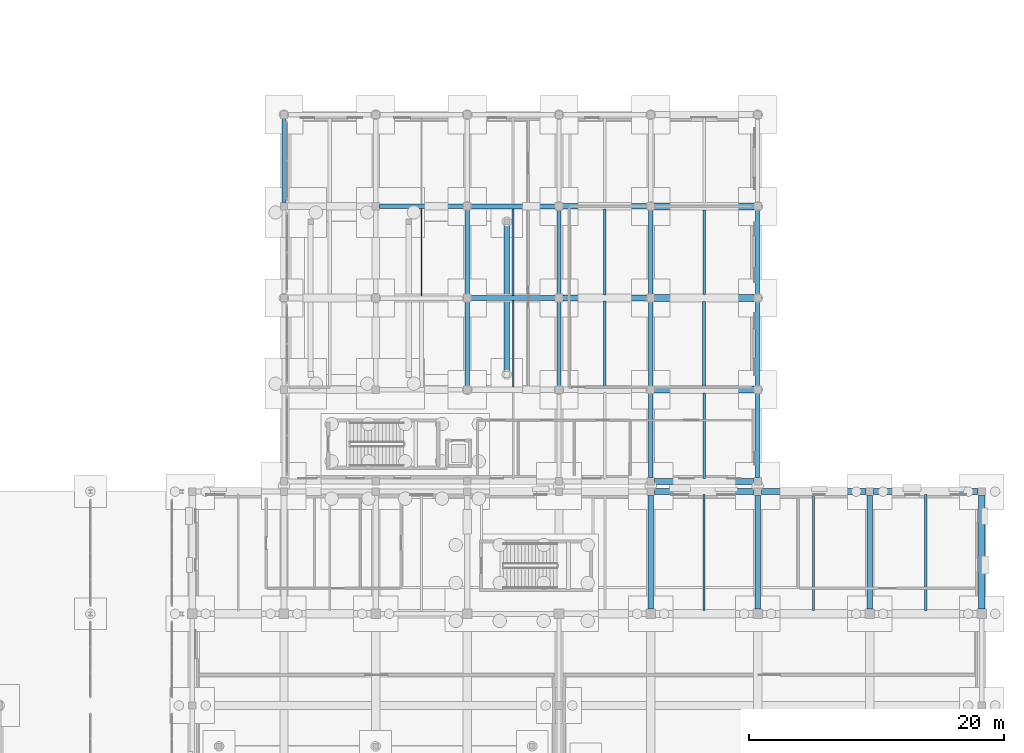
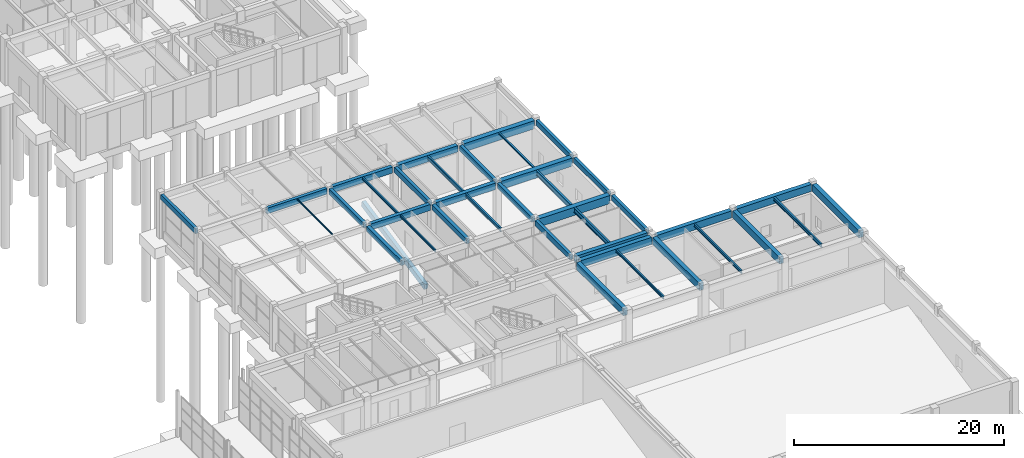
# One storey, part 53 of 91: 39 beams.
"""IFC4 building model written with IfcOpenShell, lengths in metres."""

from ifc_helpers import new_model, si_unit, direction, frame, origin, origin_2d, place, context, subcontext, project, spatial, rectangle, i_section, extrude, material, material_profile, profile_set, type_object, element, save


model = new_model("IFC4")

# Units and contexts
model_context = context("Model", 3, precision=1e-05, world=origin(), true_north=direction((0.0, 1.0)))
body_context = subcontext(model_context, "Body", "Model", "MODEL_VIEW")
ifc_project = project(units=[si_unit("LENGTHUNIT", "METRE"), si_unit("AREAUNIT", "SQUARE_METRE"), si_unit("VOLUMEUNIT", "CUBIC_METRE"), si_unit("PLANEANGLEUNIT", "RADIAN"), si_unit("MASSUNIT", "GRAM", prefix="KILO")], contexts=[model_context])

# Site, building, storey
site_placement = place(None, origin())
site = spatial("IfcSite", under=ifc_project, at=site_placement, CompositionType="ELEMENT")
building_placement = place(site_placement, origin())
building = spatial("IfcBuilding", under=site, at=building_placement, Name="Bramveld Media Centre", CompositionType="ELEMENT")
storey_placement = place(building_placement, origin())
storey = spatial("IfcBuildingStorey", under=building, at=storey_placement, Name="L00", CompositionType="ELEMENT", Elevation=0.0)

# Beams
ifc_material_1 = material(Name="Concrete C40/50", Category="concrete")
ifc_material_profile_1 = material_profile(ifc_material_1, rectangle(XDim=0.35009765625, YDim=0.60009765625, at=origin_2d()), Name="RC 350x600")
ifc_profile_set_1 = profile_set([ifc_material_profile_1], Name="Concrete C40/50")
beam_type_1 = type_object("IfcBeamType", Name="BM-INT-RC-350x600", PredefinedType="BEAM", material=ifc_profile_set_1)
for number, where, z_axis, x_axis, name in (
    (1, (145.60009765625, 46.699951171875, 4.860107421875), (0.0, 1.0, 0.0), (-1.0, 0.0, 0.0), "V4 L00 girder Y-484"),
    (2, (145.60009765625, 53.89990234375, 4.860107421875), (0.0, 1.0, 0.0), (-1.0, 0.0, 0.0), "V4 L00 girder Y-485"),
    (3, (152.800048828125, 46.699951171875, 4.860107421875), (0.0, 1.0, 0.0), (-1.0, 0.0, 0.0), "V4 L00 girder Y-488"),
    (4, (152.800048828125, 53.89990234375, 4.860107421875), (0.0, 1.0, 0.0), (-1.0, 0.0, 0.0), "V4 L00 girder Y-489"),
):
    element("IfcBeam", number, at=place(storey_placement, frame(where, z_axis=z_axis, x_axis=x_axis)), inside=storey, type_object=beam_type_1, Name=name, PredefinedType="BEAM", context=body_context, shape_type="SweptSolid", body=[
        extrude(rectangle(XDim=0.35009765625, YDim=0.60009765625, at=origin_2d()), origin(), (0.0, 0.0, 1.0), 6.60009765625),
    ])
beam_1_placement = place(storey_placement, frame((160.0, 39.489990234375, 4.860107421875), z_axis=(0.0, 1.0, 0.0), x_axis=(-1.0, 0.0, 0.0)))
element("IfcBeam", 5, at=beam_1_placement, inside=storey, type_object=beam_type_1, Name="V4 L00 girder Y-491", PredefinedType="BEAM", context=body_context, shape_type="SweptSolid", body=[
    extrude(rectangle(XDim=0.35009765625, YDim=0.60009765625, at=origin_2d()), origin(), (0.0, 0.0, 1.0), 6.610107421875),
])
for number, where, z_axis, x_axis, name in (
    (6, (160.0, 46.699951171875, 4.860107421875), (0.0, 1.0, 0.0), (-1.0, 0.0, 0.0), "V4 L00 girder Y-492"),
    (7, (160.0, 53.89990234375, 4.860107421875), (0.0, 1.0, 0.0), (-1.0, 0.0, 0.0), "V4 L00 girder Y-493"),
):
    element("IfcBeam", number, at=place(storey_placement, frame(where, z_axis=z_axis, x_axis=x_axis)), inside=storey, type_object=beam_type_1, Name=name, PredefinedType="BEAM", context=body_context, shape_type="SweptSolid", body=[
        extrude(rectangle(XDim=0.35009765625, YDim=0.60009765625, at=origin_2d()), origin(), (0.0, 0.0, 1.0), 6.60009765625),
    ])
ifc_material_2 = material(Name="Concrete C40/50", Category="concrete")
ifc_material_profile_2 = material_profile(ifc_material_2, rectangle(XDim=0.35009765625, YDim=0.64990234375, at=origin_2d()), Name="RC 350x650")
ifc_profile_set_2 = profile_set([ifc_material_profile_2], Name="Concrete C40/50")
beam_type_2 = type_object("IfcBeamType", Name="BM-INT-RC-350x650", PredefinedType="BEAM", material=ifc_profile_set_2)
beam_2_placement = place(storey_placement, frame((138.699951171875, 60.800048828125, 4.8349609375), z_axis=(1.0, 0.0, 0.0), x_axis=(0.0, 1.0, 0.0)))
element("IfcBeam", 8, at=beam_2_placement, inside=storey, type_object=beam_type_2, Name="V4 L00 girder X-468", PredefinedType="BEAM", context=body_context, shape_type="SweptSolid", body=[
    extrude(rectangle(XDim=0.35009765625, YDim=0.64990234375, at=origin_2d()), origin(), (0.0, 0.0, 1.0), 6.60009765625),
])
ifc_material_3 = material(Name="Concrete C40/50", Category="concrete")
ifc_material_profile_3 = material_profile(ifc_material_3, rectangle(XDim=0.39990234375, YDim=0.64990234375, at=origin_2d()), Name="RC 400x650")
ifc_profile_set_3 = profile_set([ifc_material_profile_3], Name="Concrete C40/50")
beam_type_3 = type_object("IfcBeamType", Name="BM-INT-RC-400x650", PredefinedType="BEAM", material=ifc_profile_set_3)
beam_3_placement = place(storey_placement, frame((148.699951171875, 47.60009765625, 0.43505859375), z_axis=(0.0, 0.979466997448, 0.201604565698), x_axis=(-1.0, 0.0, 0.0)))
element("IfcBeam", 9, at=beam_3_placement, inside=storey, type_object=beam_type_3, Name="Screen 7 Raked Seating Slab raker beam 3", PredefinedType="BEAM", context=body_context, shape_type="SweptSolid", body=[
    extrude(rectangle(XDim=0.39990234375, YDim=0.64990234375, at=origin_2d()), origin(), (0.0, 0.0, 1.0), 12.25146484375),
])
ifc_material_4 = material(Name="Concrete C40/50", Category="concrete")
ifc_material_profile_4 = material_profile(ifc_material_4, rectangle(XDim=0.39990234375, YDim=0.699951171875, at=origin_2d()), Name="RC 400x700")
ifc_profile_set_4 = profile_set([ifc_material_profile_4], Name="Concrete C40/50")
beam_type_4 = type_object("IfcBeamType", Name="BM-INT-RC-400x700", PredefinedType="BEAM", material=ifc_profile_set_4)
for number, where, z_axis, x_axis, name in (
    (10, (145.89990234375, 53.60009765625, 4.81005859375), (1.0, 0.0, 0.0), (0.0, 1.0, 0.0), "V4 L00 girder X-464"),
    (11, (145.89990234375, 60.800048828125, 4.81005859375), (1.0, 0.0, 0.0), (0.0, 1.0, 0.0), "V4 L00 girder X-469"),
):
    element("IfcBeam", number, at=place(storey_placement, frame(where, z_axis=z_axis, x_axis=x_axis)), inside=storey, type_object=beam_type_4, Name=name, PredefinedType="BEAM", context=body_context, shape_type="SweptSolid", body=[
        extrude(rectangle(XDim=0.39990234375, YDim=0.699951171875, at=origin_2d()), origin(), (0.0, 0.0, 1.0), 6.60009765625),
    ])
ifc_material_5 = material(Name="Concrete C40/50", Category="concrete")
ifc_material_profile_5 = material_profile(ifc_material_5, rectangle(XDim=0.449951171875, YDim=0.75, at=origin_2d()), Name="RC 450x750")
ifc_profile_set_5 = profile_set([ifc_material_profile_5], Name="Concrete C40/50")
beam_type_5 = type_object("IfcBeamType", Name="BM-INT-RC-450x750", PredefinedType="BEAM", material=ifc_profile_set_5)
for number, where, z_axis, x_axis, name in (
    (12, (153.10009765625, 53.60009765625, 4.784912109375), (1.0, 0.0, 0.0), (0.0, 1.0, 0.0), "V4 L00 girder X-465"),
    (13, (153.10009765625, 60.800048828125, 4.784912109375), (1.0, 0.0, 0.0), (0.0, 1.0, 0.0), "V4 L00 girder X-470"),
):
    element("IfcBeam", number, at=place(storey_placement, frame(where, z_axis=z_axis, x_axis=x_axis)), inside=storey, type_object=beam_type_5, Name=name, PredefinedType="BEAM", context=body_context, shape_type="SweptSolid", body=[
        extrude(rectangle(XDim=0.449951171875, YDim=0.75, at=origin_2d()), origin(), (0.0, 0.0, 1.0), 6.599853515625),
    ])
ifc_material_6 = material(Name="Concrete C40/50", Category="concrete")
ifc_material_profile_6 = material_profile(ifc_material_6, rectangle(XDim=0.449951171875, YDim=0.800048828125, at=origin_2d()), Name="RC 450x800")
ifc_profile_set_6 = profile_set([ifc_material_profile_6], Name="Concrete C40/50")
beam_type_6 = type_object("IfcBeamType", Name="BM-INT-RC-450x800", PredefinedType="BEAM", material=ifc_profile_set_6)
for number, where, z_axis, x_axis, name in (
    (14, (160.0, 29.175048828125, 4.719970703125), (0.0, 1.0, 0.0), (-1.0, 0.0, 0.0), "V1 L00 girder Y-29"),
    (15, (168.39990234375, 29.175048828125, 4.719970703125), (0.0, 1.0, 0.0), (-1.0, 0.0, 0.0), "V1 L00 girder Y-30"),
    (16, (177.199951171875, 29.175048828125, 4.719970703125), (0.0, 1.0, 0.0), (-1.0, 0.0, 0.0), "V1 L00 girder Y-31"),
):
    element("IfcBeam", number, at=place(storey_placement, frame(where, z_axis=z_axis, x_axis=x_axis)), inside=storey, type_object=beam_type_6, Name=name, PredefinedType="BEAM", context=body_context, shape_type="SweptSolid", body=[
        extrude(rectangle(XDim=0.449951171875, YDim=0.800048828125, at=origin_2d()), origin(), (0.0, 0.0, 1.0), 8.93505859375),
    ])
ifc_material_7 = material(Name="Concrete C40/50", Category="concrete")
ifc_material_profile_7 = material_profile(ifc_material_7, rectangle(XDim=0.550048828125, YDim=0.949951171875, at=origin_2d()), Name="RC 550x950")
ifc_profile_set_7 = profile_set([ifc_material_profile_7], Name="Concrete C40/50")
beam_type_7 = type_object("IfcBeamType", Name="BM-INT-RC-550x950", PredefinedType="BEAM", material=ifc_profile_set_7)
for number, where, z_axis, x_axis, name in (
    (17, (160.300048828125, 46.39990234375, 4.68505859375), (1.0, 0.0, 0.0), (0.0, 1.0, 0.0), "V4 L00 girder X-461"),
    (18, (160.300048828125, 53.60009765625, 4.68505859375), (1.0, 0.0, 0.0), (0.0, 1.0, 0.0), "V4 L00 girder X-466"),
    (19, (160.300048828125, 60.800048828125, 4.68505859375), (1.0, 0.0, 0.0), (0.0, 1.0, 0.0), "V4 L00 girder X-471"),
):
    element("IfcBeam", number, at=place(storey_placement, frame(where, z_axis=z_axis, x_axis=x_axis)), inside=storey, type_object=beam_type_7, Name=name, PredefinedType="BEAM", context=body_context, shape_type="SweptSolid", body=[
        extrude(rectangle(XDim=0.550048828125, YDim=0.949951171875, at=origin_2d()), origin(), (0.0, 0.0, 1.0), 7.81005859375),
    ])
ifc_material_8 = material(Name="Steel S355J2", Category="steel")
ifc_material_profile_8 = material_profile(ifc_material_8, i_section(OverallWidth=0.179931640625, OverallDepth=0.1708984375, WebThickness=0.006103515625, FlangeThickness=0.009521484375, FilletRadius=0.014892578125, at=origin_2d()), Name="HEA 180")
ifc_profile_set_8 = profile_set([ifc_material_profile_8], Name="Steel S355J2")
beam_type_8 = type_object("IfcBeamType", Name="SBM-INT-HEA-180", PredefinedType="BEAM", material=ifc_profile_set_8)
beam_4_placement = place(storey_placement, frame((164.199951171875, 53.875, 5.074462890625), z_axis=(0.0, 1.0, 0.0), x_axis=(-1.0, 0.0, 0.0)))
element("IfcBeam", 20, at=beam_4_placement, inside=storey, type_object=beam_type_8, Name="V4 L00 secondary floor joist 515", PredefinedType="BEAM", context=body_context, shape_type="SweptSolid", body=[
    extrude(i_section(OverallWidth=0.179931640625, OverallDepth=0.1708984375, WebThickness=0.006103515625, FlangeThickness=0.009521484375, FilletRadius=0.014892578125, at=origin_2d()), origin(), (0.0, 0.0, 1.0), 6.64990234375),
])
ifc_material_9 = material(Name="Steel S355J2", Category="steel")
ifc_material_profile_9 = material_profile(ifc_material_9, i_section(OverallWidth=0.091064453125, OverallDepth=0.179931640625, WebThickness=0.00537109375, FlangeThickness=0.008056640625, FilletRadius=0.009033203125, at=origin_2d()), Name="IPE 180")
ifc_profile_set_9 = profile_set([ifc_material_profile_9], Name="Steel S355J2")
beam_type_9 = type_object("IfcBeamType", Name="SBM-INT-IPE-180", PredefinedType="JOIST", material=ifc_profile_set_9)
beam_5_placement = place(storey_placement, frame((142.0, 53.77490234375, 5.070068359375), z_axis=(0.0, 1.0, 0.0), x_axis=(-1.0, 0.0, 0.0)))
element("IfcBeam", 21, at=beam_5_placement, inside=storey, type_object=beam_type_9, Name="V4 L00 secondary floor joist 503", PredefinedType="JOIST", context=body_context, shape_type="SweptSolid", body=[
    extrude(i_section(OverallWidth=0.091064453125, OverallDepth=0.179931640625, WebThickness=0.00537109375, FlangeThickness=0.008056640625, FilletRadius=0.009033203125, at=origin_2d()), origin(), (0.0, 0.0, 1.0), 6.85009765625),
])
ifc_material_10 = material(Name="Steel S355J2", Category="steel")
ifc_material_profile_10 = material_profile(ifc_material_10, i_section(OverallWidth=0.135009765625, OverallDepth=0.27001953125, WebThickness=0.006591796875, FlangeThickness=0.01025390625, FilletRadius=0.014892578125, at=origin_2d()), Name="IPE 270")
ifc_profile_set_10 = profile_set([ifc_material_profile_10], Name="Steel S355J2")
beam_type_10 = type_object("IfcBeamType", Name="SBM-INT-IPE-270", PredefinedType="JOIST", material=ifc_profile_set_10)
beam_6_placement = place(storey_placement, frame((149.199951171875, 46.60009765625, 5.02490234375), z_axis=(0.0, 1.0, 0.0), x_axis=(-1.0, 0.0, 0.0)))
element("IfcBeam", 22, at=beam_6_placement, inside=storey, type_object=beam_type_10, Name="V4 L00 secondary floor joist 506", PredefinedType="JOIST", context=body_context, shape_type="SweptSolid", body=[
    extrude(i_section(OverallWidth=0.135009765625, OverallDepth=0.27001953125, WebThickness=0.006591796875, FlangeThickness=0.01025390625, FilletRadius=0.014892578125, at=origin_2d()), origin(), (0.0, 0.0, 1.0), 6.7998046875),
])
ifc_material_11 = material(Name="Steel S355J2", Category="steel")
ifc_material_profile_11 = material_profile(ifc_material_11, i_section(OverallWidth=0.14990234375, OverallDepth=0.300048828125, WebThickness=0.007080078125, FlangeThickness=0.0107421875, FilletRadius=0.014892578125, at=origin_2d()), Name="IPE 300")
ifc_profile_set_11 = profile_set([ifc_material_profile_11], Name="Steel S355J2")
beam_type_11 = type_object("IfcBeamType", Name="SBM-INT-IPE-300", PredefinedType="JOIST", material=ifc_profile_set_11)
beam_7_placement = place(storey_placement, frame((149.199951171875, 53.800048828125, 5.010009765625), z_axis=(0.0, 1.0, 0.0), x_axis=(-1.0, 0.0, 0.0)))
element("IfcBeam", 23, at=beam_7_placement, inside=storey, type_object=beam_type_11, Name="V4 L00 secondary floor joist 507", PredefinedType="JOIST", context=body_context, shape_type="SweptSolid", body=[
    extrude(i_section(OverallWidth=0.14990234375, OverallDepth=0.300048828125, WebThickness=0.007080078125, FlangeThickness=0.0107421875, FilletRadius=0.014892578125, at=origin_2d()), origin(), (0.0, 0.0, 1.0), 6.800048828125),
])
ifc_material_12 = material(Name="Steel S355J2", Category="steel")
ifc_material_profile_12 = material_profile(ifc_material_12, i_section(OverallWidth=0.159912109375, OverallDepth=0.330078125, WebThickness=0.007568359375, FlangeThickness=0.011474609375, FilletRadius=0.01806640625, at=origin_2d()), Name="IPE 330")
ifc_profile_set_12 = profile_set([ifc_material_profile_12], Name="Steel S355J2")
beam_type_12 = type_object("IfcBeamType", Name="SBM-INT-IPE-330", PredefinedType="JOIST", material=ifc_profile_set_12)
beam_8_placement = place(storey_placement, frame((164.199951171875, 29.074951171875, 4.955078125), z_axis=(0.0, 1.0, 0.0), x_axis=(-1.0, 0.0, 0.0)))
element("IfcBeam", 24, at=beam_8_placement, inside=storey, type_object=beam_type_12, Name="V1 L00 secondary floor joist 41", PredefinedType="JOIST", context=body_context, shape_type="SweptSolid", body=[
    extrude(i_section(OverallWidth=0.159912109375, OverallDepth=0.330078125, WebThickness=0.007568359375, FlangeThickness=0.011474609375, FilletRadius=0.01806640625, at=origin_2d()), origin(), (0.0, 0.0, 1.0), 9.0849609375),
])
ifc_material_13 = material(Name="Steel S355J2", Category="steel")
ifc_material_profile_13 = material_profile(ifc_material_13, i_section(OverallWidth=0.169921875, OverallDepth=0.360107421875, WebThickness=0.008056640625, FlangeThickness=0.0126953125, FilletRadius=0.01806640625, at=origin_2d()), Name="IPE 360")
ifc_profile_set_13 = profile_set([ifc_material_profile_13], Name="Steel S355J2")
beam_type_13 = type_object("IfcBeamType", Name="SBM-INT-IPE-360", PredefinedType="JOIST", material=ifc_profile_set_13)
beam_9_placement = place(storey_placement, frame((172.800048828125, 29.074951171875, 4.93994140625), z_axis=(0.0, 1.0, 0.0), x_axis=(-1.0, 0.0, 0.0)))
element("IfcBeam", 25, at=beam_9_placement, inside=storey, type_object=beam_type_13, Name="V1 L00 secondary floor joist 42", PredefinedType="JOIST", context=body_context, shape_type="SweptSolid", body=[
    extrude(i_section(OverallWidth=0.169921875, OverallDepth=0.360107421875, WebThickness=0.008056640625, FlangeThickness=0.0126953125, FilletRadius=0.01806640625, at=origin_2d()), origin(), (0.0, 0.0, 1.0), 9.0849609375),
])
ifc_material_14 = material(Name="Steel S355J2", Category="steel")
ifc_material_profile_14 = material_profile(ifc_material_14, i_section(OverallWidth=0.179931640625, OverallDepth=0.39990234375, WebThickness=0.008544921875, FlangeThickness=0.013427734375, FilletRadius=0.02099609375, at=origin_2d()), Name="IPE 400")
ifc_profile_set_14 = profile_set([ifc_material_profile_14], Name="Steel S355J2")
beam_type_14 = type_object("IfcBeamType", Name="SBM-INT-IPE-400", PredefinedType="JOIST", material=ifc_profile_set_14)
beam_10_placement = place(storey_placement, frame((181.60009765625, 29.074951171875, 4.919921875), z_axis=(0.0, 1.0, 0.0), x_axis=(-1.0, 0.0, 0.0)))
element("IfcBeam", 26, at=beam_10_placement, inside=storey, type_object=beam_type_14, Name="V1 L00 secondary floor joist 43", PredefinedType="JOIST", context=body_context, shape_type="SweptSolid", body=[
    extrude(i_section(OverallWidth=0.179931640625, OverallDepth=0.39990234375, WebThickness=0.008544921875, FlangeThickness=0.013427734375, FilletRadius=0.02099609375, at=origin_2d()), origin(), (0.0, 0.0, 1.0), 9.0849609375),
])
beam_11_placement = place(storey_placement, frame((156.39990234375, 46.625, 4.9599609375), z_axis=(0.0, 1.0, 0.0), x_axis=(-1.0, 0.0, 0.0)))
element("IfcBeam", 27, at=beam_11_placement, inside=storey, type_object=beam_type_14, Name="V4 L00 secondary floor joist 510", PredefinedType="JOIST", context=body_context, shape_type="SweptSolid", body=[
    extrude(i_section(OverallWidth=0.179931640625, OverallDepth=0.39990234375, WebThickness=0.008544921875, FlangeThickness=0.013427734375, FilletRadius=0.02099609375, at=origin_2d()), origin(), (0.0, 0.0, 1.0), 6.75),
])
ifc_material_15 = material(Name="Steel S355J2", Category="steel")
ifc_material_profile_15 = material_profile(ifc_material_15, i_section(OverallWidth=0.18994140625, OverallDepth=0.449951171875, WebThickness=0.009521484375, FlangeThickness=0.0146484375, FilletRadius=0.02099609375, at=origin_2d()), Name="IPE 450")
ifc_profile_set_15 = profile_set([ifc_material_profile_15], Name="Steel S355J2")
beam_type_15 = type_object("IfcBeamType", Name="SBM-INT-IPE-450", PredefinedType="BEAM", material=ifc_profile_set_15)
beam_12_placement = place(storey_placement, frame((156.39990234375, 53.824951171875, 4.93505859375), z_axis=(0.0, 1.0, 0.0), x_axis=(-1.0, 0.0, 0.0)))
element("IfcBeam", 28, at=beam_12_placement, inside=storey, type_object=beam_type_15, Name="V4 L00 secondary floor joist 511", PredefinedType="BEAM", context=body_context, shape_type="SweptSolid", body=[
    extrude(i_section(OverallWidth=0.18994140625, OverallDepth=0.449951171875, WebThickness=0.009521484375, FlangeThickness=0.0146484375, FilletRadius=0.02099609375, at=origin_2d()), origin(), (0.0, 0.0, 1.0), 6.75),
])
ifc_material_16 = material(Name="Steel S355J2", Category="steel")
ifc_material_profile_16 = material_profile(ifc_material_16, i_section(OverallWidth=0.2099609375, OverallDepth=0.550048828125, WebThickness=0.010986328125, FlangeThickness=0.01708984375, FilletRadius=0.02392578125, at=origin_2d()), Name="IPE 550")
ifc_profile_set_16 = profile_set([ifc_material_profile_16], Name="Steel S355J2")
beam_type_16 = type_object("IfcBeamType", Name="SBM-INT-IPE-550", PredefinedType="BEAM", material=ifc_profile_set_16)
beam_13_placement = place(storey_placement, frame((164.199951171875, 39.43994140625, 4.885009765625), z_axis=(0.0, 1.0, 0.0), x_axis=(-1.0, 0.0, 0.0)))
element("IfcBeam", 29, at=beam_13_placement, inside=storey, type_object=beam_type_16, Name="V4 L00 secondary floor joist 513", PredefinedType="BEAM", context=body_context, shape_type="SweptSolid", body=[
    extrude(i_section(OverallWidth=0.2099609375, OverallDepth=0.550048828125, WebThickness=0.010986328125, FlangeThickness=0.01708984375, FilletRadius=0.02392578125, at=origin_2d()), origin(), (0.0, 0.0, 1.0), 6.68505859375),
])
ifc_material_17 = material(Name="Steel S355J2", Category="steel")
ifc_material_profile_17 = material_profile(ifc_material_17, i_section(OverallWidth=0.219970703125, OverallDepth=0.60009765625, WebThickness=0.011962890625, FlangeThickness=0.01904296875, FilletRadius=0.02392578125, at=origin_2d()), Name="IPE 600")
ifc_profile_set_17 = profile_set([ifc_material_profile_17], Name="Steel S355J2")
beam_type_17 = type_object("IfcBeamType", Name="SBM-INT-IPE-600", PredefinedType="BEAM", material=ifc_profile_set_17)
beam_14_placement = place(storey_placement, frame((164.199951171875, 46.675048828125, 4.860107421875), z_axis=(0.0, 1.0, 0.0), x_axis=(-1.0, 0.0, 0.0)))
element("IfcBeam", 30, at=beam_14_placement, inside=storey, type_object=beam_type_17, Name="V4 L00 secondary floor joist 514", PredefinedType="BEAM", context=body_context, shape_type="SweptSolid", body=[
    extrude(i_section(OverallWidth=0.219970703125, OverallDepth=0.60009765625, WebThickness=0.011962890625, FlangeThickness=0.01904296875, FilletRadius=0.02392578125, at=origin_2d()), origin(), (0.0, 0.0, 1.0), 6.64990234375),
])
ifc_material_18 = material(Name="Concrete C40/50", Category="concrete")
ifc_material_profile_18 = material_profile(ifc_material_18, rectangle(XDim=0.320068359375, YDim=0.580078125, at=origin_2d()), Name="RC 320x580")
ifc_profile_set_18 = profile_set([ifc_material_profile_18], Name="Concrete C40/50")
beam_type_18 = type_object("IfcBeamType", Name="SPANDREL-EXT-RC-320x580", PredefinedType="SPANDREL", material=ifc_profile_set_18)
beam_15_placement = place(storey_placement, frame((131.199951171875, 61.090087890625, 4.8701171875), z_axis=(0.0, 1.0, 0.0), x_axis=(-1.0, 0.0, 0.0)))
element("IfcBeam", 31, at=beam_15_placement, inside=storey, type_object=beam_type_18, Name="V4 L00 girder Y-480", PredefinedType="SPANDREL", context=body_context, shape_type="SweptSolid", body=[
    extrude(rectangle(XDim=0.320068359375, YDim=0.580078125, at=origin_2d()), origin(), (0.0, 0.0, 1.0), 6.619873046875),
])
for number, where, z_axis, x_axis, name in (
    (32, (168.39990234375, 39.489990234375, 4.8701171875), (0.0, 1.0, 0.0), (-1.0, 0.0, 0.0), "V4 L00 girder Y-495"),
    (33, (168.39990234375, 46.68994140625, 4.8701171875), (0.0, 1.0, 0.0), (-1.0, 0.0, 0.0), "V4 L00 girder Y-496"),
    (34, (168.39990234375, 53.889892578125, 4.8701171875), (0.0, 1.0, 0.0), (-1.0, 0.0, 0.0), "V4 L00 girder Y-497"),
):
    element("IfcBeam", number, at=place(storey_placement, frame(where, z_axis=z_axis, x_axis=x_axis)), inside=storey, type_object=beam_type_18, Name=name, PredefinedType="SPANDREL", context=body_context, shape_type="SweptSolid", body=[
        extrude(rectangle(XDim=0.320068359375, YDim=0.580078125, at=origin_2d()), origin(), (0.0, 0.0, 1.0), 6.6201171875),
    ])
ifc_material_19 = material(Name="Concrete C40/50", Category="concrete")
ifc_material_profile_19 = material_profile(ifc_material_19, rectangle(XDim=0.47998046875, YDim=0.820068359375, at=origin_2d()), Name="RC 480x820")
ifc_profile_set_19 = profile_set([ifc_material_profile_19], Name="Concrete C40/50")
beam_type_19 = type_object("IfcBeamType", Name="SPANDREL-EXT-RC-480x820", PredefinedType="SPANDREL", material=ifc_profile_set_19)
beam_16_placement = place(storey_placement, frame((160.2900390625, 38.39990234375, 4.7099609375), z_axis=(1.0, 0.0, 0.0), x_axis=(0.0, 1.0, 0.0)))
element("IfcBeam", 35, at=beam_16_placement, inside=storey, type_object=beam_type_19, Name="V1 L00 girder X-14", PredefinedType="SPANDREL", context=body_context, shape_type="SweptSolid", body=[
    extrude(rectangle(XDim=0.47998046875, YDim=0.820068359375, at=origin_2d()), origin(), (0.0, 0.0, 1.0), 7.820068359375),
])
for number, where, z_axis, x_axis, name in (
    (36, (168.68994140625, 38.39990234375, 4.7099609375), (1.0, 0.0, 0.0), (0.0, 1.0, 0.0), "V1 L00 girder X-15"),
    (37, (177.489990234375, 38.39990234375, 4.7099609375), (1.0, 0.0, 0.0), (0.0, 1.0, 0.0), "V1 L00 girder X-16"),
):
    element("IfcBeam", number, at=place(storey_placement, frame(where, z_axis=z_axis, x_axis=x_axis)), inside=storey, type_object=beam_type_19, Name=name, PredefinedType="SPANDREL", context=body_context, shape_type="SweptSolid", body=[
        extrude(rectangle(XDim=0.47998046875, YDim=0.820068359375, at=origin_2d()), origin(), (0.0, 0.0, 1.0), 8.219970703125),
    ])
beam_17_placement = place(storey_placement, frame((186.0, 29.159912109375, 4.7099609375), z_axis=(0.0, 1.0, 0.0), x_axis=(-1.0, 0.0, 0.0)))
element("IfcBeam", 38, at=beam_17_placement, inside=storey, type_object=beam_type_19, Name="V1 L00 girder Y-36", PredefinedType="SPANDREL", context=body_context, shape_type="SweptSolid", body=[
    extrude(rectangle(XDim=0.47998046875, YDim=0.820068359375, at=origin_2d()), origin(), (0.0, 0.0, 1.0), 8.9501953125),
])
beam_18_placement = place(storey_placement, frame((160.2900390625, 39.199951171875, 4.75), z_axis=(1.0, 0.0, 0.0), x_axis=(0.0, 1.0, 0.0)))
element("IfcBeam", 39, at=beam_18_placement, inside=storey, type_object=beam_type_19, Name="V4 L00 girder X-456", PredefinedType="SPANDREL", context=body_context, shape_type="SweptSolid", body=[
    extrude(rectangle(XDim=0.47998046875, YDim=0.820068359375, at=origin_2d()), origin(), (0.0, 0.0, 1.0), 7.820068359375),
])

save(model, "model.ifc")
